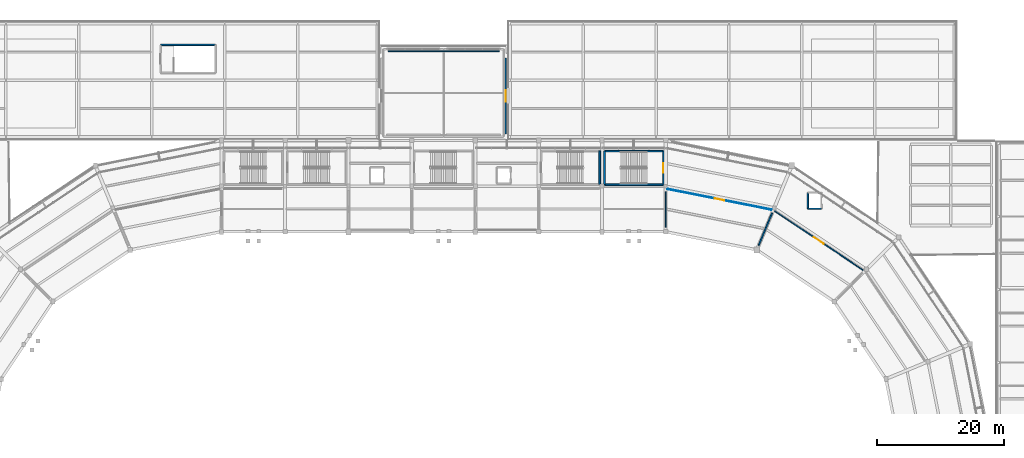
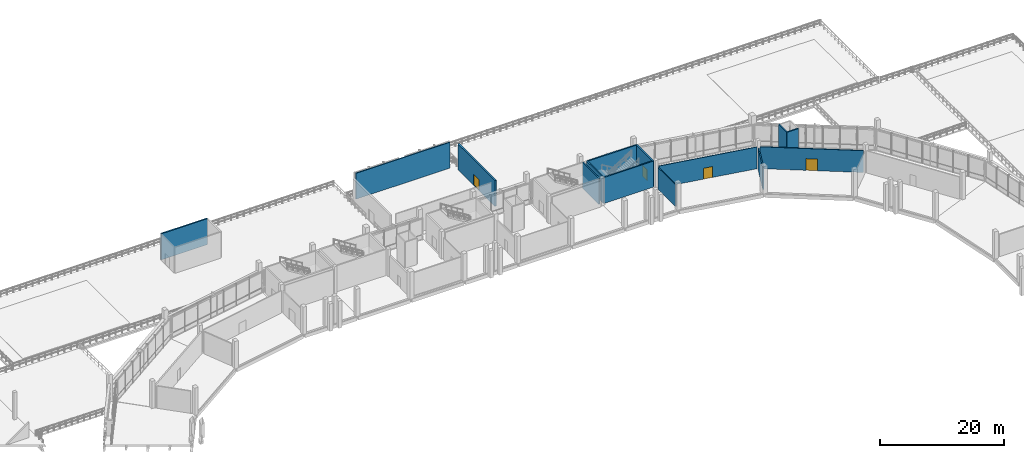
# One storey, part 80 of 111: 14 walls, 4 doors, 4 openings.
"""IFC4 building model written with IfcOpenShell, lengths in metres."""

import ifcopenshell
import ifcopenshell.guid

model = None  # the IFC model being written
_history = None  # IfcOwnerHistory: only IFC2X3 demands one
_inside = {}  # id of a spatial element -> (the spatial element, [elements in it])
_under = {}  # id of a project, library or spatial element -> (it, [spatial elements below it])
_declared = {}  # id of a project -> (the project, [libraries it declares])
_typed = {}  # id of a type object -> (the type object, [elements of that type])
_made_of = {}  # id of a material, layer set ... -> (it, [elements and type objects made of it])


def new_model(schema):
    """Start an empty IFC model of exactly this schema.

    Asked for "IFC4X3", IfcOpenShell would pick the latest addendum, in which some entities
    have other attributes; the version numbers below select the first issue.
    IFC2X3 requires an IfcOwnerHistory on every rooted entity: one is made here for all.
    """
    global model, _history
    if schema == "IFC4X3":
        model = ifcopenshell.file(schema_version=(4, 3, 0, 0))
    else:
        model = ifcopenshell.file(schema=schema)
    _inside.clear()
    _under.clear()
    _declared.clear()
    _typed.clear()
    _made_of.clear()
    _history = None
    if model.schema == "IFC2X3":
        org = make("IfcOrganization", Name="unknown")
        user = make(
            "IfcPersonAndOrganization",
            ThePerson=make("IfcPerson", FamilyName="unknown"),
            TheOrganization=org,
        )
        app = make(
            "IfcApplication",
            ApplicationDeveloper=org,
            Version="unknown",
            ApplicationFullName="unknown",
            ApplicationIdentifier="unknown",
        )
        _history = make(
            "IfcOwnerHistory",
            OwningUser=user,
            OwningApplication=app,
            ChangeAction="ADDED",
            CreationDate=0,
        )
    return model


def make(cls, **values):
    """One entity of the class cls with the attributes given. An attribute that is None is left unset."""
    return model.create_entity(
        cls, **{name: value for name, value in values.items() if value is not None}
    )


def rooted(cls, **values):
    """An entity with a GlobalId (a new one), such as an element, a storey or a relation."""
    return make(cls, GlobalId=ifcopenshell.guid.new(), OwnerHistory=_history, **values)


def si_unit(unit_type, name, prefix=None):
    """IfcSIUnit, for example si_unit("LENGTHUNIT", "METRE", prefix="MILLI")."""
    return make("IfcSIUnit", UnitType=unit_type, Prefix=prefix, Name=name)


def assignment(units):
    """IfcUnitAssignment: the units of a project."""
    return None if units is None else make("IfcUnitAssignment", Units=units)


def point(xyz):
    """IfcCartesianPoint."""
    return None if xyz is None else make("IfcCartesianPoint", Coordinates=xyz)


def direction(xyz):
    """IfcDirection."""
    return None if xyz is None else make("IfcDirection", DirectionRatios=xyz)


def frame(location, z_axis=None, x_axis=None):
    """IfcAxis2Placement3D, a coordinate frame: its origin and axes. An axis left out is left unset."""
    return make(
        "IfcAxis2Placement3D",
        Location=point(location),
        Axis=direction(z_axis),
        RefDirection=direction(x_axis),
    )


def frame_2d(location, x_axis=None):
    """IfcAxis2Placement2D, a coordinate frame in the plane: its origin and x axis."""
    return make(
        "IfcAxis2Placement2D", Location=point(location), RefDirection=direction(x_axis)
    )


def origin():
    """The frame at (0, 0, 0) with its axes left unset."""
    return frame((0.0, 0.0, 0.0))


def place(relative_to, where):
    """IfcLocalPlacement: puts the frame where relative to a parent placement (None: the world)."""
    return make(
        "IfcLocalPlacement", PlacementRelTo=relative_to, RelativePlacement=where
    )


def context(
    kind, dimensions, precision=None, world=None, true_north=None, identifier=None
):
    """IfcGeometricRepresentationContext, for example the 3D "Model" context."""
    return make(
        "IfcGeometricRepresentationContext",
        ContextIdentifier=identifier,
        ContextType=kind,
        CoordinateSpaceDimension=dimensions,
        Precision=precision,
        WorldCoordinateSystem=world,
        TrueNorth=true_north,
    )


def subcontext(parent, identifier, kind, view, scale=None):
    """IfcGeometricRepresentationSubContext, for example "Body" below "Model"."""
    return make(
        "IfcGeometricRepresentationSubContext",
        ContextIdentifier=identifier,
        ContextType=kind,
        ParentContext=parent,
        TargetScale=scale,
        TargetView=view,
    )


def project(units=None, contexts=None):
    """IfcProject with its units and contexts."""
    return rooted(
        "IfcProject",
        Name="project",
        RepresentationContexts=contexts,
        UnitsInContext=assignment(units),
    )


def spatial(cls, under=None, at=None, **own):
    """A site, building, storey or space (cls), placed at a placement, below another one or the project."""
    s = rooted(cls, ObjectPlacement=at, **own)
    if under is not None:
        _under.setdefault(under.id(), (under, []))[1].append(s)
    return s


def profile(cls, at=None, kind="AREA", **sizes):
    """A parametric profile (cls). Its sizes go by their IFC names, for example OverallWidth=200.0."""
    return make(cls, ProfileType=kind, Position=at, **sizes)


def rectangle(**sizes):
    """IfcRectangleProfileDef."""
    return profile("IfcRectangleProfileDef", **sizes)


def extrude(swept, where, along, depth):
    """IfcExtrudedAreaSolid: the profile swept, set in the frame where, extruded along a direction by depth."""
    return make(
        "IfcExtrudedAreaSolid",
        SweptArea=swept,
        Position=where,
        ExtrudedDirection=direction(along),
        Depth=depth,
    )


def shape(context_of_items, identifier, shape_type, items):
    """IfcShapeRepresentation: the items that make up one representation, for example the "Body"."""
    return make(
        "IfcShapeRepresentation",
        ContextOfItems=context_of_items,
        RepresentationIdentifier=identifier,
        RepresentationType=shape_type,
        Items=items,
    )


def material(Name=None, Category=None):
    """IfcMaterial."""
    return make("IfcMaterial", Name=Name, Category=Category)


def layer(
    of_material, thickness, ventilated=None, Name=None, Category=None, Priority=None
):
    """IfcMaterialLayer: one layer of a wall or slab, of a material (None: an air gap)."""
    return make(
        "IfcMaterialLayer",
        Material=of_material,
        LayerThickness=thickness,
        IsVentilated=ventilated,
        Name=Name,
        Category=Category,
        Priority=Priority,
    )


def layer_set(layers, Name=None):
    """IfcMaterialLayerSet."""
    return make("IfcMaterialLayerSet", MaterialLayers=layers, LayerSetName=Name)


def made_of(thing, what):
    """Note that an element or type object is made of a material, layer set ...; save() writes the relation."""
    if what is not None:
        _made_of.setdefault(what.id(), (what, []))[1].append(thing)
    return thing


def type_object(cls, material=None, **own):
    """A type object (cls), such as IfcWallType, which elements share."""
    return made_of(rooted(cls, **own), material)


def element(
    cls,
    number,
    at=None,
    inside=None,
    cuts=None,
    type_object=None,
    material=None,
    context=None,
    identifier="Body",
    shape_type=None,
    held_by="IfcProductDefinitionShape",
    body=None,
    shapes=None,
    **own,
):
    """One element of the class cls, such as IfcWall. Its Tag is "e" and its number.

    at: its placement. inside: the storey or other place that contains it. cuts: it is an
    opening in that element (IfcRelVoidsElement). A single representation is given by context,
    identifier, shape_type and body (its items); several are given by shapes. held_by: the class
    of the entity that holds the representations. save() writes the other relations.
    """
    e = rooted(cls, Tag="e%d" % number, ObjectPlacement=at, **own)
    if body is not None:
        shapes = [shape(context, identifier, shape_type, body)]
    if shapes is not None:
        e.Representation = make(held_by, Representations=shapes)
    if inside is not None:
        _inside.setdefault(inside.id(), (inside, []))[1].append(e)
    if cuts is not None:
        rooted(
            "IfcRelVoidsElement", RelatingBuildingElement=cuts, RelatedOpeningElement=e
        )
    if type_object is not None:
        _typed.setdefault(type_object.id(), (type_object, []))[1].append(e)
    return made_of(e, material)


def fill(opening, filler):
    """IfcRelFillsElement: the door or window that sits in an opening."""
    return rooted(
        "IfcRelFillsElement",
        RelatingOpeningElement=opening,
        RelatedBuildingElement=filler,
    )


def aggregate(whole, parts):
    """IfcRelAggregates: a whole, such as a stair, and the parts it consists of."""
    return rooted("IfcRelAggregates", RelatingObject=whole, RelatedObjects=parts)


def save(model, path):
    """Write the relations noted so far, then the file.

    IfcRelAggregates (storeys below a building ...), IfcRelContainedInSpatialStructure (elements
    in a storey), IfcRelDefinesByType, IfcRelAssociatesMaterial and IfcRelDeclares: one each for
    every whole, place, type object, material and project.
    """
    for whole, parts in _under.values():
        aggregate(whole, parts)
    for where, things in _inside.values():
        rooted(
            "IfcRelContainedInSpatialStructure",
            RelatedElements=things,
            RelatingStructure=where,
        )
    for kind, things in _typed.values():
        rooted("IfcRelDefinesByType", RelatedObjects=things, RelatingType=kind)
    for what, things in _made_of.values():
        rooted("IfcRelAssociatesMaterial", RelatedObjects=things, RelatingMaterial=what)
    for by, libraries in _declared.values():
        rooted("IfcRelDeclares", RelatingContext=by, RelatedDefinitions=libraries)
    model.write(path)


model = new_model("IFC4")

# Units and contexts
model_context = context("Model", 3, precision=1e-05, world=origin(), true_north=direction((0.0, 1.0)))
body_context = subcontext(model_context, "Body", "Model", "MODEL_VIEW")
ifc_project = project(units=[si_unit("LENGTHUNIT", "METRE"), si_unit("AREAUNIT", "SQUARE_METRE"), si_unit("VOLUMEUNIT", "CUBIC_METRE"), si_unit("PLANEANGLEUNIT", "RADIAN"), si_unit("MASSUNIT", "GRAM", prefix="KILO")], contexts=[model_context])

# Site, building, storey
site_placement = place(None, origin())
site = spatial("IfcSite", under=ifc_project, at=site_placement, CompositionType="ELEMENT")
building_placement = place(site_placement, origin())
building = spatial("IfcBuilding", under=site, at=building_placement, Name="Candeia Ridge Stadium", CompositionType="ELEMENT")
storey_placement = place(building_placement, frame((0.0, 0.0, 16.199951171875)))
storey = spatial("IfcBuildingStorey", under=building, at=storey_placement, Name="L03", CompositionType="ELEMENT", Elevation=16.199951171875)

# Walls
ifc_material_1 = material(Name="Concrete C40/50", Category="concrete")
ifc_layer_1 = layer(ifc_material_1, 0.25, Name="Concrete C40/50", Category="concrete")
ifc_layer_set_1 = layer_set([ifc_layer_1], Name="Concrete C40/50")
wall_type_1 = type_object("IfcWallType", Name="Core Shear Wall Concrete 250", PredefinedType="SHEAR", material=ifc_layer_set_1)
wall_1_placement = place(storey_placement, frame((140.62451171875, 145.32470703125, 0.0), z_axis=(0.0, 0.0, 1.0), x_axis=(-1.0, 0.0, 0.0)))
element("IfcWall", 1, at=wall_1_placement, inside=storey, type_object=wall_type_1, Name="Core C04 left shear wall L03", PredefinedType="SHEAR", context=body_context, shape_type="SweptSolid", body=[
    extrude(rectangle(XDim=9.2490234375, YDim=0.25, at=frame_2d((4.62451171875, 0.0))), origin(), (0.0, 0.0, 1.0), 5.14013671875),
])
wall_2_placement = place(storey_placement, frame((131.37548828125, 145.32470703125, 0.0), z_axis=(0.0, 0.0, 1.0), x_axis=(0.0, -1.0, 0.0)))
element("IfcWall", 2, at=wall_2_placement, inside=storey, type_object=wall_type_1, Name="Core C04 far shear wall L03", PredefinedType="SHEAR", context=body_context, shape_type="SweptSolid", body=[
    extrude(rectangle(XDim=5.29931640625, YDim=0.25, at=frame_2d((2.649658203125, 0.0))), origin(), (0.0, 0.0, 1.0), 5.14013671875),
])
wall_3_placement = place(storey_placement, frame((131.37548828125, 140.025390625, 0.0), z_axis=(0.0, 0.0, 1.0), x_axis=(1.0, 0.0, 0.0)))
element("IfcWall", 3, at=wall_3_placement, inside=storey, type_object=wall_type_1, Name="Core C04 right shear wall L03", PredefinedType="SHEAR", context=body_context, shape_type="SweptSolid", body=[
    extrude(rectangle(XDim=9.2490234375, YDim=0.25, at=frame_2d((4.62451171875, 0.0))), origin(), (0.0, 0.0, 1.0), 5.14013671875),
])

# Wall, opening, door
wall_4_placement = place(storey_placement, frame((140.62451171875, 140.025390625, 0.0), z_axis=(0.0, 0.0, 1.0), x_axis=(0.0, 1.0, 0.0)))
wall_4 = element("IfcWall", 4, at=wall_4_placement, inside=storey, type_object=wall_type_1, Name="Core C04 near shear wall L03", PredefinedType="SHEAR", context=body_context, shape_type="SweptSolid", body=[
    extrude(rectangle(XDim=5.29931640625, YDim=0.25, at=frame_2d((2.649658203125, 0.0))), origin(), (0.0, 0.0, 1.0), 5.14013671875),
])
opening_1_placement = place(wall_4_placement, frame((1.899658203125, 0.0, 0.0)))
opening_1 = element("IfcOpeningElement", 5, at=opening_1_placement, cuts=wall_4, Name="Opening FD01", PredefinedType="OPENING", context=body_context, shape_type="SweptSolid", body=[
    extrude(rectangle(XDim=1.5, YDim=2.199951171875, at=frame_2d((0.75, 1.10009765625))), frame((0.0, 0.135009765625, 0.0), z_axis=(0.0, -1.0, 0.0), x_axis=(1.0, 0.0, 0.0)), (0.0, 0.0, 1.0), 0.27001953125),
])
ifc_material_2 = material(Name="Galvanized Fire-Rated Steel", Category="steel")
door_type_1 = type_object("IfcDoorType", Name="Exit Stair Core Fire Door 1500x2200", OperationType="NOTDEFINED", PredefinedType="DOOR", material=ifc_material_2)
door_1_placement = place(opening_1_placement, origin())
door_1 = element("IfcDoor", 6, at=door_1_placement, inside=storey, type_object=door_type_1, Name="Exit stair fire door SD-ST04-L03", OperationType="DOUBLE_DOOR_SINGLE_SWING", OverallHeight=2.199951171875, OverallWidth=1.5, PredefinedType="DOOR", context=body_context, shape_type="SweptSolid", body=[
    extrude(rectangle(XDim=1.5, YDim=2.199951171875, at=frame_2d((0.75, 1.10009765625))), frame((0.0, 0.02490234375, 0.0), z_axis=(0.0, -1.0, 0.0), x_axis=(1.0, 0.0, 0.0)), (0.0, 0.0, 1.0), 0.050048828125),
])
fill(opening_1, door_1)

# Walls
wall_5_placement = place(storey_placement, frame((130.62451171875, 140.075439453125, 0.0), z_axis=(0.0, 0.0, 1.0), x_axis=(0.0, 1.0, 0.0)))
element("IfcWall", 7, at=wall_5_placement, inside=storey, type_object=wall_type_1, Name="Core C10 far shear wall L03", PredefinedType="SHEAR", context=body_context, shape_type="SweptSolid", body=[
    extrude(rectangle(XDim=5.299072265625, YDim=0.25, at=frame_2d((2.6494140625, 0.0))), origin(), (0.0, 0.0, 1.0), 5.14013671875),
])
wall_6_placement = place(storey_placement, frame((70.024658203125, 162.07470703125, 0.0), z_axis=(0.0, 0.0, 1.0), x_axis=(-1.0, 0.0, 0.0)))
element("IfcWall", 8, at=wall_6_placement, inside=storey, type_object=wall_type_1, Name="Core C15 right shear wall L03", PredefinedType="SHEAR", context=body_context, shape_type="SweptSolid", body=[
    extrude(rectangle(XDim=8.649169921875, YDim=0.25, at=frame_2d((4.32470703125, 0.0))), origin(), (0.0, 0.0, 1.0), 5.14013671875),
])

# Wall, opening, door
ifc_material_3 = material(Name="Concrete C35/45", Category="concrete")
ifc_layer_2 = layer(ifc_material_3, 0.300048828125, Name="Concrete C35/45", Category="concrete")
ifc_layer_set_2 = layer_set([ifc_layer_2], Name="Concrete C35/45")
wall_type_2 = type_object("IfcWallType", Name="Exterior Pavilion Rainscreen Wall 300", PredefinedType="SOLIDWALL", material=ifc_layer_set_2)
wall_7_placement = place(storey_placement, frame((115.800048828125, 148.0, 0.0), z_axis=(0.0, 0.0, 1.0), x_axis=(0.0, 1.0, 0.0)))
wall_7 = element("IfcWall", 9, at=wall_7_placement, inside=storey, type_object=wall_type_2, Name="Terrace threshold wall EW-L03-0216", PredefinedType="SOLIDWALL", context=body_context, shape_type="SweptSolid", body=[
    extrude(rectangle(XDim=12.0, YDim=0.300048828125, at=frame_2d((6.0, 0.0))), origin(), (0.0, 0.0, 1.0), 5.1201171875),
])
opening_2_placement = place(wall_7_placement, frame((5.10009765625, 0.0, 0.0)))
opening_2 = element("IfcOpeningElement", 10, at=opening_2_placement, cuts=wall_7, Name="Opening ED05", PredefinedType="OPENING", context=body_context, shape_type="SweptSolid", body=[
    extrude(rectangle(XDim=1.800048828125, YDim=2.199951171875, at=frame_2d((0.89990234375, 1.10009765625))), frame((0.0, 0.159912109375, 0.0), z_axis=(0.0, -1.0, 0.0), x_axis=(1.0, 0.0, 0.0)), (0.0, 0.0, 1.0), 0.320068359375),
])
ifc_material_4 = material(Name="Aluminium Thermal-Break Glazed Door", Category="aluminium")
door_type_2 = type_object("IfcDoorType", Name="Terrace Garden Double Door 1800x2200", OperationType="NOTDEFINED", PredefinedType="DOOR", material=ifc_material_4)
door_2_placement = place(opening_2_placement, frame((1.800048828125, 0.0, 0.0), z_axis=(0.0, 0.0, 1.0), x_axis=(-1.0, 0.0, 0.0)))
door_2 = element("IfcDoor", 11, at=door_2_placement, inside=storey, type_object=door_type_2, Name="North-east roof garden terrace door TD-055", OperationType="DOUBLE_DOOR_SINGLE_SWING", OverallHeight=2.199951171875, OverallWidth=1.800048828125, PredefinedType="DOOR", context=body_context, shape_type="SweptSolid", body=[
    extrude(rectangle(XDim=1.800048828125, YDim=2.199951171875, at=frame_2d((0.89990234375, 1.10009765625))), frame((0.0, 0.02490234375, 0.0), z_axis=(0.0, -1.0, 0.0), x_axis=(1.0, 0.0, 0.0)), (0.0, 0.0, 1.0), 0.050048828125),
])
fill(opening_2, door_2)

ifc_material_5 = material(Name="Gypsum Acoustic Twin-Stud Assembly", Category="gypsum")
ifc_layer_3 = layer(ifc_material_5, 0.1650390625, Name="Gypsum Acoustic Twin-Stud Assembly", Category="gypsum")
ifc_layer_set_3 = layer_set([ifc_layer_3], Name="Gypsum Acoustic Twin-Stud Assembly")
wall_type_3 = type_object("IfcWallType", Name="Hospitality Suite Acoustic Wall 165", PredefinedType="PARTITIONING", material=ifc_layer_set_3)
wall_8_placement = place(storey_placement, frame((158.198974609375, 135.88134765625, 0.0), z_axis=(0.0, 0.0, 1.0), x_axis=(0.831472453136, -0.555565981388, 0.0)))
wall_8 = element("IfcWall", 12, at=wall_8_placement, inside=storey, type_object=wall_type_3, Name="Interior partition PT-L03-0617", PredefinedType="PARTITIONING", context=body_context, shape_type="SweptSolid", body=[
    extrude(rectangle(XDim=16.783203125, YDim=0.1650390625, at=frame_2d((8.3916015625, 0.0))), origin(), (0.0, 0.0, 1.0), 4.304931640625),
])
opening_3_placement = place(wall_8_placement, frame((7.441650390625, 0.0, 0.0)))
opening_3 = element("IfcOpeningElement", 13, at=opening_3_placement, cuts=wall_8, Name="Opening ID10", PredefinedType="OPENING", context=body_context, shape_type="SweptSolid", body=[
    extrude(rectangle(XDim=1.89990234375, YDim=2.300048828125, at=frame_2d((0.949951171875, 1.14990234375))), frame((0.0, 0.092529296875, 0.0), z_axis=(0.0, -1.0, 0.0), x_axis=(1.0, 0.0, 0.0)), (0.0, 0.0, 1.0), 0.18505859375),
])
ifc_material_6 = material(Name="Timber Fire-Rated Acoustic", Category="wood")
door_type_3 = type_object("IfcDoorType", Name="Museum Exhibition Double Door 1900x2300", OperationType="NOTDEFINED", PredefinedType="DOOR", material=ifc_material_6)
door_3_placement = place(opening_3_placement, origin())
door_3 = element("IfcDoor", 14, at=door_3_placement, inside=storey, type_object=door_type_3, Name="Interior room door D-L03-0317", OperationType="DOUBLE_DOOR_SINGLE_SWING", OverallHeight=2.300048828125, OverallWidth=1.89990234375, PredefinedType="DOOR", context=body_context, shape_type="SweptSolid", body=[
    extrude(rectangle(XDim=1.89990234375, YDim=2.300048828125, at=frame_2d((0.949951171875, 1.14990234375))), frame((0.0, 0.02490234375, 0.0), z_axis=(0.0, -1.0, 0.0), x_axis=(1.0, 0.0, 0.0)), (0.0, 0.0, 1.0), 0.050048828125),
])
fill(opening_3, door_3)

# Walls
ifc_layer_4 = layer(ifc_material_1, 0.219970703125, Name="Concrete C40/50", Category="concrete")
ifc_layer_set_4 = layer_set([ifc_layer_4], Name="Concrete C40/50")
wall_type_4 = type_object("IfcWallType", Name="Lift & Riser Shaft Wall 220", PredefinedType="SHEAR", material=ifc_layer_set_4)
wall_9_placement = place(storey_placement, frame((163.43994140625, 136.239990234375, 0.0), z_axis=(0.0, 0.0, 1.0), x_axis=(1.0, 0.0, 0.0)))
element("IfcWall", 15, at=wall_9_placement, inside=storey, type_object=wall_type_4, Name="Lift EL2 shaft wall L03 south", PredefinedType="SHEAR", context=body_context, shape_type="SweptSolid", body=[
    extrude(rectangle(XDim=2.1201171875, YDim=0.219970703125, at=frame_2d((1.06005859375, 0.0))), origin(), (0.0, 0.0, 1.0), 5.14013671875),
])
wall_10_placement = place(storey_placement, frame((163.43994140625, 138.760009765625, 0.0), z_axis=(0.0, 0.0, 1.0), x_axis=(0.0, -1.0, 0.0)))
element("IfcWall", 16, at=wall_10_placement, inside=storey, type_object=wall_type_4, Name="Lift EL2 shaft wall L03 west", PredefinedType="SHEAR", context=body_context, shape_type="SweptSolid", body=[
    extrude(rectangle(XDim=2.52001953125, YDim=0.219970703125, at=frame_2d((1.260009765625, 0.0))), origin(), (0.0, 0.0, 1.0), 5.14013671875),
])
ifc_layer_5 = layer(ifc_material_5, 0.175048828125, Name="Gypsum Acoustic Twin-Stud Assembly", Category="gypsum")
ifc_layer_set_5 = layer_set([ifc_layer_5], Name="Gypsum Acoustic Twin-Stud Assembly")
wall_type_5 = type_object("IfcWallType", Name="Museum Acoustic Gallery Wall 175", PredefinedType="PARTITIONING", material=ifc_layer_set_5)
wall_11_placement = place(storey_placement, frame((141.0400390625, 133.35009765625, 0.0), z_axis=(0.0, 0.0, 1.0), x_axis=(0.0, 1.0, 0.0)))
element("IfcWall", 17, at=wall_11_placement, inside=storey, type_object=wall_type_5, Name="Demising partition PT-L03-0620", PredefinedType="PARTITIONING", context=body_context, shape_type="SweptSolid", body=[
    extrude(rectangle(XDim=5.591796875, YDim=0.175048828125, at=frame_2d((2.7958984375, 0.0))), origin(), (0.0, 0.0, 1.0), 4.304931640625),
])
ifc_material_7 = material(Name="Moisture-Resistant Masonry & Tile", Category="masonry")
ifc_layer_6 = layer(ifc_material_7, 0.2099609375, Name="Moisture-Resistant Masonry & Tile", Category="masonry")
ifc_layer_set_6 = layer_set([ifc_layer_6], Name="Moisture-Resistant Masonry & Tile")
wall_type_6 = type_object("IfcWallType", Name="Sanitary Wet-Wall Plumbing Chase 210", PredefinedType="PLUMBINGWALL", material=ifc_layer_set_6)
wall_12_placement = place(storey_placement, frame((155.67578125, 130.4306640625, 0.0), z_axis=(0.0, 0.0, 1.0), x_axis=(0.382682918336, 0.923879745429, 0.0)))
element("IfcWall", 18, at=wall_12_placement, inside=storey, type_object=wall_type_6, Name="Demising partition PT-L03-0618", PredefinedType="PLUMBINGWALL", context=body_context, shape_type="SweptSolid", body=[
    extrude(rectangle(XDim=5.60009765625, YDim=0.2099609375, at=frame_2d((2.800048828125, 0.0))), origin(), (0.0, 0.0, 1.0), 4.304931640625),
])
ifc_layer_7 = layer(ifc_material_5, 0.169921875, Name="Gypsum Acoustic Twin-Stud Assembly", Category="gypsum")
ifc_layer_set_7 = layer_set([ifc_layer_7], Name="Gypsum Acoustic Twin-Stud Assembly")
wall_type_7 = type_object("IfcWallType", Name="Skybox Demising Acoustic Wall 170", PredefinedType="PARTITIONING", material=ifc_layer_set_7)
wall_13_placement = place(storey_placement, frame((97.25, 161.10009765625, 0.0), z_axis=(0.0, 0.0, 1.0), x_axis=(1.0, 0.0, 0.0)))
element("IfcWall", 19, at=wall_13_placement, inside=storey, type_object=wall_type_7, Name="Demising partition PT-L03-0622", PredefinedType="PARTITIONING", context=body_context, shape_type="SweptSolid", body=[
    extrude(rectangle(XDim=17.5, YDim=0.169921875, at=frame_2d((8.75, 0.0))), origin(), (0.0, 0.0, 1.0), 5.1201171875),
])

# Wall, opening, door
ifc_material_8 = material(Name="Gypsum Metal-Stud Partition", Category="gypsum")
ifc_layer_8 = layer(ifc_material_8, 0.1201171875, Name="Gypsum Metal-Stud Partition", Category="gypsum")
ifc_layer_set_8 = layer_set([ifc_layer_8], Name="Gypsum Metal-Stud Partition")
wall_type_8 = type_object("IfcWallType", Name="Suite Internal Divider 120", PredefinedType="PARTITIONING", material=ifc_layer_set_8)
wall_14_placement = place(storey_placement, frame((141.28515625, 139.34326171875, 0.0), z_axis=(0.0, 0.0, 1.0), x_axis=(0.980784295226, -0.195095274771, 0.0)))
wall_14 = element("IfcWall", 20, at=wall_14_placement, inside=storey, type_object=wall_type_8, Name="Interior partition PT-L03-0619", PredefinedType="PARTITIONING", context=body_context, shape_type="SweptSolid", body=[
    extrude(rectangle(XDim=16.742431640625, YDim=0.1201171875, at=frame_2d((8.37109375, 0.0))), origin(), (0.0, 0.0, 1.0), 4.304931640625),
])
opening_4_placement = place(wall_14_placement, frame((7.59619140625, 0.0, 0.0)))
opening_4 = element("IfcOpeningElement", 21, at=opening_4_placement, cuts=wall_14, Name="Opening ID14", PredefinedType="OPENING", context=body_context, shape_type="SweptSolid", body=[
    extrude(rectangle(XDim=1.550048828125, YDim=2.14990234375, at=frame_2d((0.77490234375, 1.074951171875))), frame((0.0, 0.070068359375, 0.0), z_axis=(0.0, -1.0, 0.0), x_axis=(1.0, 0.0, 0.0)), (0.0, 0.0, 1.0), 0.14013671875),
])
ifc_material_9 = material(Name="Brushed Stainless Steel", Category="steel")
door_type_4 = type_object("IfcDoorType", Name="Catering Kitchen Double Door 1550x2150", OperationType="NOTDEFINED", PredefinedType="DOOR", material=ifc_material_9)
door_4_placement = place(opening_4_placement, origin())
door_4 = element("IfcDoor", 22, at=door_4_placement, inside=storey, type_object=door_type_4, Name="Interior room door D-L03-0318", OperationType="DOUBLE_DOOR_SINGLE_SWING", OverallHeight=2.14990234375, OverallWidth=1.550048828125, PredefinedType="DOOR", context=body_context, shape_type="SweptSolid", body=[
    extrude(rectangle(XDim=1.550048828125, YDim=2.14990234375, at=frame_2d((0.77490234375, 1.074951171875))), frame((0.0, 0.02490234375, 0.0), z_axis=(0.0, -1.0, 0.0), x_axis=(1.0, 0.0, 0.0)), (0.0, 0.0, 1.0), 0.050048828125),
])
fill(opening_4, door_4)

save(model, "model.ifc")
